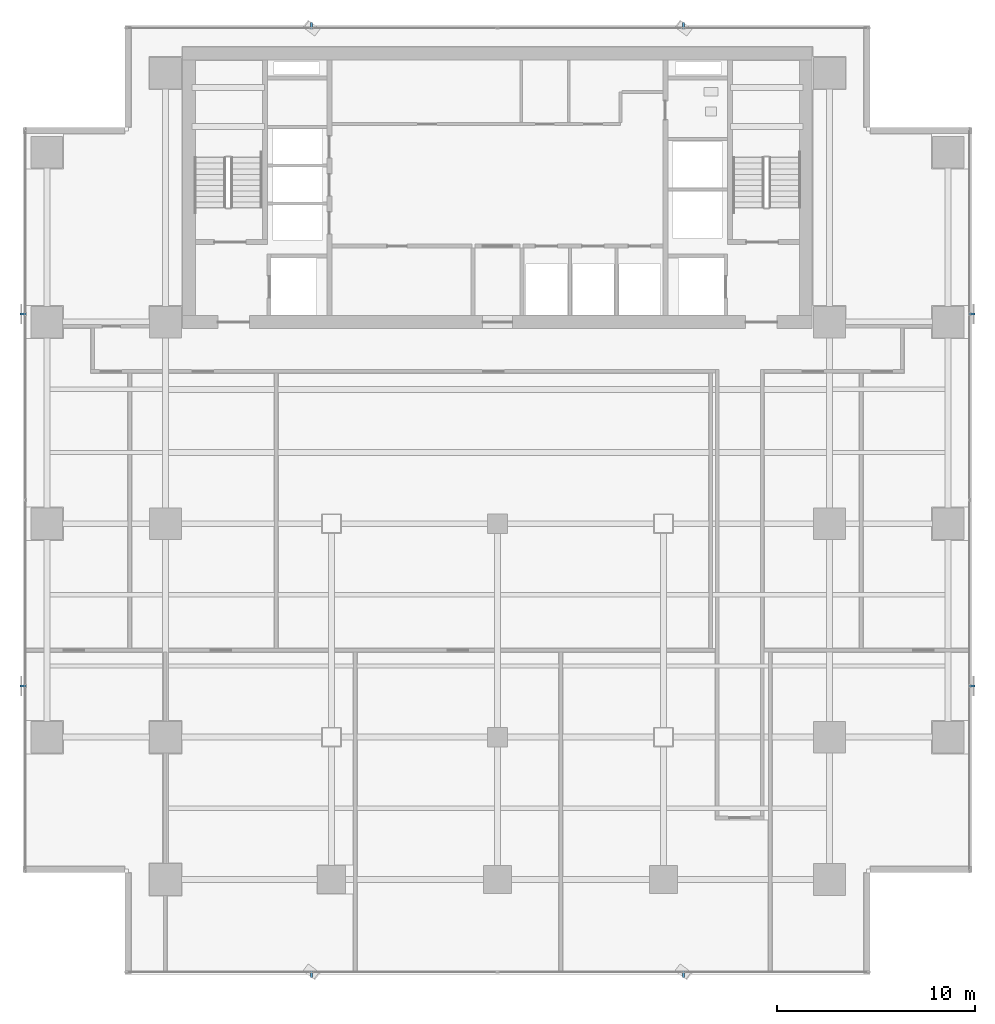
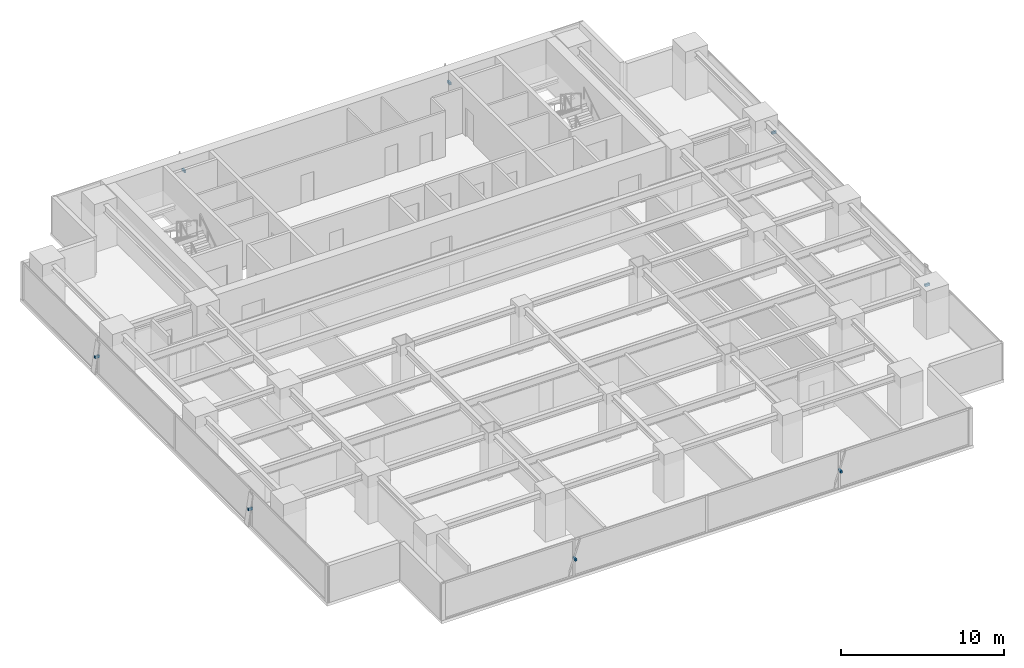
# One storey, part 23 of 28: 8 discrete accessories.
"""IFC4 building model written with IfcOpenShell, lengths in metres."""

from ifc_helpers import new_model, si_unit, direction, frame, origin, origin_2d, place, context, subcontext, project, spatial, rectangle, extrude, source, transform, mapped, material, material_profile, profile_set, type_object, element, save


model = new_model("IFC4")

# Units and contexts
model_context = context("Model", 3, precision=1e-05, world=origin(), true_north=direction((0.0, 1.0)))
body_context = subcontext(model_context, "Body", "Model", "MODEL_VIEW")
ifc_project = project(units=[si_unit("LENGTHUNIT", "METRE"), si_unit("AREAUNIT", "SQUARE_METRE"), si_unit("VOLUMEUNIT", "CUBIC_METRE"), si_unit("PLANEANGLEUNIT", "RADIAN"), si_unit("MASSUNIT", "GRAM", prefix="KILO")], contexts=[model_context])

# Site, building, storey
site_placement = place(None, origin())
site = spatial("IfcSite", under=ifc_project, at=site_placement, CompositionType="ELEMENT")
building_placement = place(site_placement, origin())
building = spatial("IfcBuilding", under=site, at=building_placement, Name="Sumidabori Civic Tower", CompositionType="ELEMENT")
storey_placement = place(building_placement, frame((0.0, 0.0, 174.800048828125)))
storey = spatial("IfcBuildingStorey", under=building, at=storey_placement, Name="L45", CompositionType="ELEMENT", Elevation=174.800048828125)

# Discrete accessories
ifc_material = material(Name="Stainless Steel Hairline Finish", Category="steel")
ifc_material_profile = material_profile(ifc_material, rectangle(XDim=0.1201171875, YDim=0.179931640625, at=origin_2d()), Name="STEEL BRACKET 180x120")
ifc_profile_set = profile_set([ifc_material_profile], Name="Stainless Steel Hairline Finish")
discrete_accessory_type = type_object("IfcDiscreteAccessoryType", Name="AC-BRK-180", PredefinedType="BRACKET", material=ifc_profile_set)
shared_shape_1 = source(origin(), body_context, "Body", "SweptSolid", [
    extrude(rectangle(XDim=0.1201171875, YDim=0.179931640625, at=origin_2d()), origin(), (0.0, 0.0, 1.0), 0.329833984375),
])
for number, where, z_axis, x_axis, name in (
    (1, (23.830078125, -8.2099609375, 1.369873046875), (1.0, 0.0, 0.0), (0.0, 1.0, 0.0), "Bronze Fin Fixing Bracket L45-01"),
    (2, (23.830078125, 10.610107421875, 1.369873046875), (1.0, 0.0, 0.0), (0.0, 1.0, 0.0), "Bronze Fin Fixing Bracket L45-03"),
    (3, (-23.830078125, 10.610107421875, 1.369873046875), (-1.0, 0.0, 0.0), (0.0, -1.0, 0.0), "Bronze Fin Fixing Bracket L45-01"),
    (4, (-23.830078125, -8.2099609375, 1.369873046875), (-1.0, 0.0, 0.0), (0.0, -1.0, 0.0), "Bronze Fin Fixing Bracket L45-03"),
):
    element("IfcDiscreteAccessory", number, at=place(storey_placement, frame(where, z_axis=z_axis, x_axis=x_axis)), inside=storey, type_object=discrete_accessory_type, Name=name, PredefinedType="BRACKET", context=body_context, shape_type="MappedRepresentation", body=[
        mapped(shared_shape_1, transform((0.0, 0.0, 0.0), x_axis=(1.0, 0.0, 0.0), y_axis=(0.0, 1.0, 0.0), z_axis=(0.0, 0.0, 1.0), scale=1.0)),
    ])
shared_shape_2 = source(origin(), body_context, "Body", "SweptSolid", [
    extrude(rectangle(XDim=0.1201171875, YDim=0.179931640625, at=origin_2d()), origin(), (0.0, 0.0, 1.0), 0.330078125),
])
for number, where, z_axis, x_axis, name in (
    (5, (-9.409912109375, -22.6298828125, 1.369873046875), (0.0, -1.0, 0.0), (1.0, 0.0, 0.0), "Bronze Fin Fixing Bracket L45-01"),
    (6, (9.409912109375, -22.6298828125, 1.369873046875), (0.0, -1.0, 0.0), (1.0, 0.0, 0.0), "Bronze Fin Fixing Bracket L45-03"),
    (7, (9.409912109375, 25.030029296875, 1.369873046875), (0.0, 1.0, 0.0), (-1.0, 0.0, 0.0), "Bronze Fin Fixing Bracket L45-01"),
    (8, (-9.409912109375, 25.030029296875, 1.369873046875), (0.0, 1.0, 0.0), (-1.0, 0.0, 0.0), "Bronze Fin Fixing Bracket L45-03"),
):
    element("IfcDiscreteAccessory", number, at=place(storey_placement, frame(where, z_axis=z_axis, x_axis=x_axis)), inside=storey, type_object=discrete_accessory_type, Name=name, PredefinedType="BRACKET", context=body_context, shape_type="MappedRepresentation", body=[
        mapped(shared_shape_2, transform((0.0, 0.0, 0.0), x_axis=(1.0, 0.0, 0.0), y_axis=(0.0, 1.0, 0.0), z_axis=(0.0, 0.0, 1.0), scale=1.0)),
    ])

save(model, "model.ifc")
